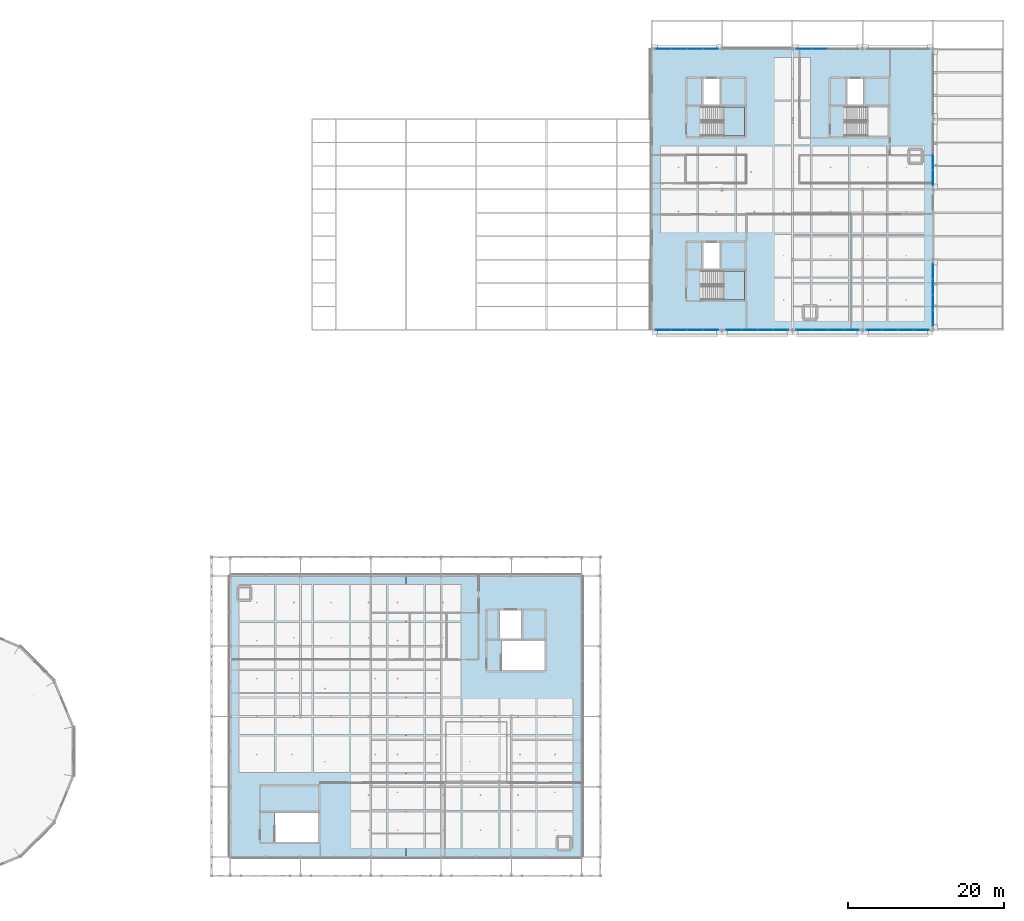
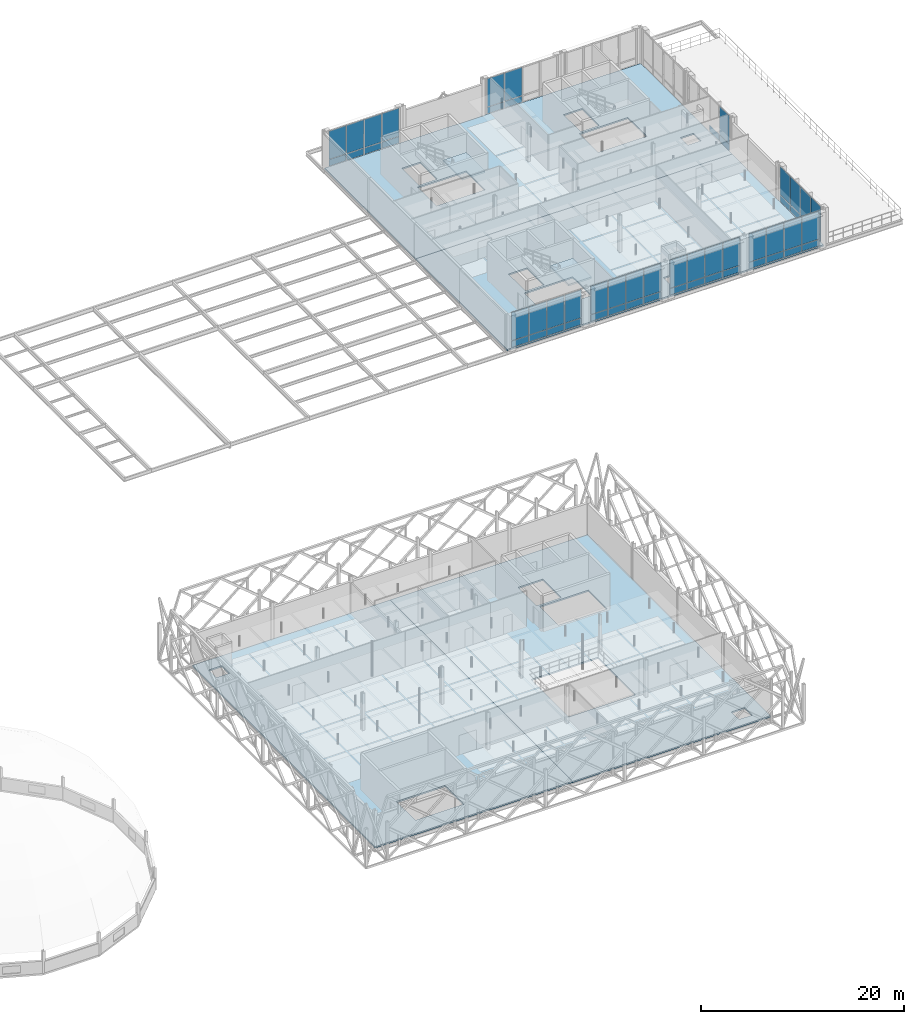
# One storey, part 34 of 66: 55 plates, 6 slabs, 10 elements without a shape of their own.
"""IFC4 building model written with IfcOpenShell, lengths in metres."""

import ifcopenshell
import ifcopenshell.guid

model = None  # the IFC model being written
_history = None  # IfcOwnerHistory: only IFC2X3 demands one
_inside = {}  # id of a spatial element -> (the spatial element, [elements in it])
_under = {}  # id of a project, library or spatial element -> (it, [spatial elements below it])
_declared = {}  # id of a project -> (the project, [libraries it declares])
_typed = {}  # id of a type object -> (the type object, [elements of that type])
_made_of = {}  # id of a material, layer set ... -> (it, [elements and type objects made of it])


def new_model(schema):
    """Start an empty IFC model of exactly this schema.

    Asked for "IFC4X3", IfcOpenShell would pick the latest addendum, in which some entities
    have other attributes; the version numbers below select the first issue.
    IFC2X3 requires an IfcOwnerHistory on every rooted entity: one is made here for all.
    """
    global model, _history
    if schema == "IFC4X3":
        model = ifcopenshell.file(schema_version=(4, 3, 0, 0))
    else:
        model = ifcopenshell.file(schema=schema)
    _inside.clear()
    _under.clear()
    _declared.clear()
    _typed.clear()
    _made_of.clear()
    _history = None
    if model.schema == "IFC2X3":
        org = make("IfcOrganization", Name="unknown")
        user = make(
            "IfcPersonAndOrganization",
            ThePerson=make("IfcPerson", FamilyName="unknown"),
            TheOrganization=org,
        )
        app = make(
            "IfcApplication",
            ApplicationDeveloper=org,
            Version="unknown",
            ApplicationFullName="unknown",
            ApplicationIdentifier="unknown",
        )
        _history = make(
            "IfcOwnerHistory",
            OwningUser=user,
            OwningApplication=app,
            ChangeAction="ADDED",
            CreationDate=0,
        )
    return model


def make(cls, **values):
    """One entity of the class cls with the attributes given. An attribute that is None is left unset."""
    return model.create_entity(
        cls, **{name: value for name, value in values.items() if value is not None}
    )


def rooted(cls, **values):
    """An entity with a GlobalId (a new one), such as an element, a storey or a relation."""
    return make(cls, GlobalId=ifcopenshell.guid.new(), OwnerHistory=_history, **values)


def si_unit(unit_type, name, prefix=None):
    """IfcSIUnit, for example si_unit("LENGTHUNIT", "METRE", prefix="MILLI")."""
    return make("IfcSIUnit", UnitType=unit_type, Prefix=prefix, Name=name)


def assignment(units):
    """IfcUnitAssignment: the units of a project."""
    return None if units is None else make("IfcUnitAssignment", Units=units)


def point(xyz):
    """IfcCartesianPoint."""
    return None if xyz is None else make("IfcCartesianPoint", Coordinates=xyz)


def direction(xyz):
    """IfcDirection."""
    return None if xyz is None else make("IfcDirection", DirectionRatios=xyz)


def frame(location, z_axis=None, x_axis=None):
    """IfcAxis2Placement3D, a coordinate frame: its origin and axes. An axis left out is left unset."""
    return make(
        "IfcAxis2Placement3D",
        Location=point(location),
        Axis=direction(z_axis),
        RefDirection=direction(x_axis),
    )


def frame_2d(location, x_axis=None):
    """IfcAxis2Placement2D, a coordinate frame in the plane: its origin and x axis."""
    return make(
        "IfcAxis2Placement2D", Location=point(location), RefDirection=direction(x_axis)
    )


def origin():
    """The frame at (0, 0, 0) with its axes left unset."""
    return frame((0.0, 0.0, 0.0))


def origin_2d():
    """The frame at (0, 0) in the plane with its x axis left unset."""
    return frame_2d((0.0, 0.0))


def place(relative_to, where):
    """IfcLocalPlacement: puts the frame where relative to a parent placement (None: the world)."""
    return make(
        "IfcLocalPlacement", PlacementRelTo=relative_to, RelativePlacement=where
    )


def context(
    kind, dimensions, precision=None, world=None, true_north=None, identifier=None
):
    """IfcGeometricRepresentationContext, for example the 3D "Model" context."""
    return make(
        "IfcGeometricRepresentationContext",
        ContextIdentifier=identifier,
        ContextType=kind,
        CoordinateSpaceDimension=dimensions,
        Precision=precision,
        WorldCoordinateSystem=world,
        TrueNorth=true_north,
    )


def subcontext(parent, identifier, kind, view, scale=None):
    """IfcGeometricRepresentationSubContext, for example "Body" below "Model"."""
    return make(
        "IfcGeometricRepresentationSubContext",
        ContextIdentifier=identifier,
        ContextType=kind,
        ParentContext=parent,
        TargetScale=scale,
        TargetView=view,
    )


def project(units=None, contexts=None):
    """IfcProject with its units and contexts."""
    return rooted(
        "IfcProject",
        Name="project",
        RepresentationContexts=contexts,
        UnitsInContext=assignment(units),
    )


def spatial(cls, under=None, at=None, **own):
    """A site, building, storey or space (cls), placed at a placement, below another one or the project."""
    s = rooted(cls, ObjectPlacement=at, **own)
    if under is not None:
        _under.setdefault(under.id(), (under, []))[1].append(s)
    return s


def polyline(points):
    """IfcPolyline through the points."""
    return make("IfcPolyline", Points=[point(p) for p in points])


def profile(cls, at=None, kind="AREA", **sizes):
    """A parametric profile (cls). Its sizes go by their IFC names, for example OverallWidth=200.0."""
    return make(cls, ProfileType=kind, Position=at, **sizes)


def rectangle(**sizes):
    """IfcRectangleProfileDef."""
    return profile("IfcRectangleProfileDef", **sizes)


def outline(outer, holes=None, kind="AREA"):
    """IfcArbitraryClosedProfileDef: a profile drawn as a closed curve; with holes, ...WithVoids."""
    if holes is None:
        return make("IfcArbitraryClosedProfileDef", ProfileType=kind, OuterCurve=outer)
    return make(
        "IfcArbitraryProfileDefWithVoids",
        ProfileType=kind,
        OuterCurve=outer,
        InnerCurves=holes,
    )


def extrude(swept, where, along, depth):
    """IfcExtrudedAreaSolid: the profile swept, set in the frame where, extruded along a direction by depth."""
    return make(
        "IfcExtrudedAreaSolid",
        SweptArea=swept,
        Position=where,
        ExtrudedDirection=direction(along),
        Depth=depth,
    )


def shape(context_of_items, identifier, shape_type, items):
    """IfcShapeRepresentation: the items that make up one representation, for example the "Body"."""
    return make(
        "IfcShapeRepresentation",
        ContextOfItems=context_of_items,
        RepresentationIdentifier=identifier,
        RepresentationType=shape_type,
        Items=items,
    )


def material(Name=None, Category=None):
    """IfcMaterial."""
    return make("IfcMaterial", Name=Name, Category=Category)


def layer(
    of_material, thickness, ventilated=None, Name=None, Category=None, Priority=None
):
    """IfcMaterialLayer: one layer of a wall or slab, of a material (None: an air gap)."""
    return make(
        "IfcMaterialLayer",
        Material=of_material,
        LayerThickness=thickness,
        IsVentilated=ventilated,
        Name=Name,
        Category=Category,
        Priority=Priority,
    )


def layer_set(layers, Name=None):
    """IfcMaterialLayerSet."""
    return make("IfcMaterialLayerSet", MaterialLayers=layers, LayerSetName=Name)


def made_of(thing, what):
    """Note that an element or type object is made of a material, layer set ...; save() writes the relation."""
    if what is not None:
        _made_of.setdefault(what.id(), (what, []))[1].append(thing)
    return thing


def type_object(cls, material=None, **own):
    """A type object (cls), such as IfcWallType, which elements share."""
    return made_of(rooted(cls, **own), material)


def element(
    cls,
    number,
    at=None,
    inside=None,
    cuts=None,
    type_object=None,
    material=None,
    context=None,
    identifier="Body",
    shape_type=None,
    held_by="IfcProductDefinitionShape",
    body=None,
    shapes=None,
    **own,
):
    """One element of the class cls, such as IfcWall. Its Tag is "e" and its number.

    at: its placement. inside: the storey or other place that contains it. cuts: it is an
    opening in that element (IfcRelVoidsElement). A single representation is given by context,
    identifier, shape_type and body (its items); several are given by shapes. held_by: the class
    of the entity that holds the representations. save() writes the other relations.
    """
    e = rooted(cls, Tag="e%d" % number, ObjectPlacement=at, **own)
    if body is not None:
        shapes = [shape(context, identifier, shape_type, body)]
    if shapes is not None:
        e.Representation = make(held_by, Representations=shapes)
    if inside is not None:
        _inside.setdefault(inside.id(), (inside, []))[1].append(e)
    if cuts is not None:
        rooted(
            "IfcRelVoidsElement", RelatingBuildingElement=cuts, RelatedOpeningElement=e
        )
    if type_object is not None:
        _typed.setdefault(type_object.id(), (type_object, []))[1].append(e)
    return made_of(e, material)


def aggregate(whole, parts):
    """IfcRelAggregates: a whole, such as a stair, and the parts it consists of."""
    return rooted("IfcRelAggregates", RelatingObject=whole, RelatedObjects=parts)


def save(model, path):
    """Write the relations noted so far, then the file.

    IfcRelAggregates (storeys below a building ...), IfcRelContainedInSpatialStructure (elements
    in a storey), IfcRelDefinesByType, IfcRelAssociatesMaterial and IfcRelDeclares: one each for
    every whole, place, type object, material and project.
    """
    for whole, parts in _under.values():
        aggregate(whole, parts)
    for where, things in _inside.values():
        rooted(
            "IfcRelContainedInSpatialStructure",
            RelatedElements=things,
            RelatingStructure=where,
        )
    for kind, things in _typed.values():
        rooted("IfcRelDefinesByType", RelatedObjects=things, RelatingType=kind)
    for what, things in _made_of.values():
        rooted("IfcRelAssociatesMaterial", RelatedObjects=things, RelatingMaterial=what)
    for by, libraries in _declared.values():
        rooted("IfcRelDeclares", RelatingContext=by, RelatedDefinitions=libraries)
    model.write(path)


model = new_model("IFC4")

# Units and contexts
model_context = context("Model", 3, precision=1e-05, world=origin(), true_north=direction((0.0, 1.0)))
body_context = subcontext(model_context, "Body", "Model", "MODEL_VIEW")
ifc_project = project(units=[si_unit("LENGTHUNIT", "METRE"), si_unit("AREAUNIT", "SQUARE_METRE"), si_unit("VOLUMEUNIT", "CUBIC_METRE"), si_unit("PLANEANGLEUNIT", "RADIAN"), si_unit("MASSUNIT", "GRAM", prefix="KILO"), si_unit("THERMODYNAMICTEMPERATUREUNIT", "KELVIN"), si_unit("POWERUNIT", "WATT")], contexts=[model_context])

# Site, building, storey
site_placement = place(None, origin())
site = spatial("IfcSite", under=ifc_project, at=site_placement, CompositionType="ELEMENT")
building_placement = place(site_placement, origin())
building = spatial("IfcBuilding", under=site, at=building_placement, Name="Tallowbark Science Centre", CompositionType="ELEMENT")
storey_placement = place(building_placement, frame((0.0, 0.0, 18.89990234375)))
storey = spatial("IfcBuildingStorey", under=building, at=storey_placement, Name="L04", CompositionType="ELEMENT", Elevation=18.89990234375)

# Curtain wall, plates
ifc_material_1 = material(Name="Unitised Thermally Broken Aluminium and Low-E Double Glazing", Category="aluminium")
curtain_wall_type = type_object("IfcCurtainWallType", Name="CW-SYS-FACADE", PredefinedType="NOTDEFINED", material=ifc_material_1)
curtain_wall_1_placement = place(storey_placement, origin())
curtain_wall_1 = element("IfcCurtainWall", 1, at=curtain_wall_1_placement, inside=storey, type_object=curtain_wall_type, Name="Unitised Curtain Wall OBS4-S-112 CW-L04-190", PredefinedType="NOTDEFINED")
ifc_material_2 = material(Name="Double Glazed Argon Low-E Vision Glass", Category="glass")
ifc_layer_1 = layer(ifc_material_2, 0.028076171875)
ifc_layer_set_1 = layer_set([ifc_layer_1], Name="Double Glazed Argon Low-E Vision Glass")
plate_type_1 = type_object("IfcPlateType", Name="CWP-GLZ-28", PredefinedType="CURTAIN_PANEL", material=ifc_layer_set_1)
plate_1_placement = place(storey_placement, frame((113.978759765625, 72.0, 0.05517578125), z_axis=(0.0, 0.0, 1.0), x_axis=(1.0, 0.0, 0.0)))
plate_1 = element("IfcPlate", 2, at=plate_1_placement, type_object=plate_type_1, Name="CW-01 panel 1.1", PredefinedType="CURTAIN_PANEL", context=body_context, shape_type="SweptSolid", body=[
    extrude(rectangle(XDim=1.927490234375, YDim=0.028076171875, at=origin_2d()), origin(), (0.0, 0.0, 1.0), 0.767578125),
])
plate_2_placement = place(storey_placement, frame((113.978759765625, 72.0, 0.87744140625), z_axis=(0.0, 0.0, 1.0), x_axis=(1.0, 0.0, 0.0)))
plate_2 = element("IfcPlate", 3, at=plate_2_placement, type_object=plate_type_1, Name="CW-01 panel 1.2", PredefinedType="CURTAIN_PANEL", context=body_context, shape_type="SweptSolid", body=[
    extrude(rectangle(XDim=1.927490234375, YDim=0.028076171875, at=origin_2d()), origin(), (0.0, 0.0, 1.0), 3.387451171875),
])
plate_3_placement = place(storey_placement, frame((115.987548828125, 72.0, 0.05517578125), z_axis=(0.0, 0.0, 1.0), x_axis=(1.0, 0.0, 0.0)))
plate_3 = element("IfcPlate", 4, at=plate_3_placement, type_object=plate_type_1, Name="CW-01 panel 2.1", PredefinedType="CURTAIN_PANEL", context=body_context, shape_type="SweptSolid", body=[
    extrude(rectangle(XDim=1.9599609375, YDim=0.028076171875, at=origin_2d()), origin(), (0.0, 0.0, 1.0), 0.767578125),
])
plate_4_placement = place(storey_placement, frame((115.987548828125, 72.0, 0.87744140625), z_axis=(0.0, 0.0, 1.0), x_axis=(1.0, 0.0, 0.0)))
plate_4 = element("IfcPlate", 5, at=plate_4_placement, type_object=plate_type_1, Name="CW-01 panel 2.2", PredefinedType="CURTAIN_PANEL", context=body_context, shape_type="SweptSolid", body=[
    extrude(rectangle(XDim=1.9599609375, YDim=0.028076171875, at=origin_2d()), origin(), (0.0, 0.0, 1.0), 3.387451171875),
])
plate_5_placement = place(storey_placement, frame((118.012451171875, 72.0, 0.05517578125), z_axis=(0.0, 0.0, 1.0), x_axis=(1.0, 0.0, 0.0)))
plate_5 = element("IfcPlate", 6, at=plate_5_placement, type_object=plate_type_1, Name="CW-01 panel 3.1", PredefinedType="CURTAIN_PANEL", context=body_context, shape_type="SweptSolid", body=[
    extrude(rectangle(XDim=1.9599609375, YDim=0.028076171875, at=origin_2d()), origin(), (0.0, 0.0, 1.0), 0.767578125),
])
plate_6_placement = place(storey_placement, frame((118.012451171875, 72.0, 0.87744140625), z_axis=(0.0, 0.0, 1.0), x_axis=(1.0, 0.0, 0.0)))
plate_6 = element("IfcPlate", 7, at=plate_6_placement, type_object=plate_type_1, Name="CW-01 panel 3.2", PredefinedType="CURTAIN_PANEL", context=body_context, shape_type="SweptSolid", body=[
    extrude(rectangle(XDim=1.9599609375, YDim=0.028076171875, at=origin_2d()), origin(), (0.0, 0.0, 1.0), 3.387451171875),
])
plate_7_placement = place(storey_placement, frame((120.021240234375, 72.0, 0.05517578125), z_axis=(0.0, 0.0, 1.0), x_axis=(1.0, 0.0, 0.0)))
plate_7 = element("IfcPlate", 8, at=plate_7_placement, type_object=plate_type_1, Name="CW-01 panel 4.1", PredefinedType="CURTAIN_PANEL", context=body_context, shape_type="SweptSolid", body=[
    extrude(rectangle(XDim=1.927490234375, YDim=0.028076171875, at=origin_2d()), origin(), (0.0, 0.0, 1.0), 0.767578125),
])
plate_8_placement = place(storey_placement, frame((120.021240234375, 72.0, 0.87744140625), z_axis=(0.0, 0.0, 1.0), x_axis=(1.0, 0.0, 0.0)))
plate_8 = element("IfcPlate", 9, at=plate_8_placement, type_object=plate_type_1, Name="CW-01 panel 4.2", PredefinedType="CURTAIN_PANEL", context=body_context, shape_type="SweptSolid", body=[
    extrude(rectangle(XDim=1.927490234375, YDim=0.028076171875, at=origin_2d()), origin(), (0.0, 0.0, 1.0), 3.387451171875),
])
aggregate(curtain_wall_1, [plate_1, plate_2, plate_3, plate_4, plate_5, plate_6, plate_7, plate_8])

curtain_wall_2_placement = place(storey_placement, origin())
curtain_wall_2 = element("IfcCurtainWall", 10, at=curtain_wall_2_placement, inside=storey, type_object=curtain_wall_type, Name="Unitised Curtain Wall OBS4-N-112 CW-L04-191", PredefinedType="NOTDEFINED")
plate_9_placement = place(storey_placement, frame((120.021240234375, 108.0, 0.05517578125), z_axis=(0.0, 0.0, 1.0), x_axis=(-1.0, 0.0, 0.0)))
plate_9 = element("IfcPlate", 11, at=plate_9_placement, type_object=plate_type_1, Name="CW-01 panel 1.1", PredefinedType="CURTAIN_PANEL", context=body_context, shape_type="SweptSolid", body=[
    extrude(rectangle(XDim=1.927490234375, YDim=0.028076171875, at=origin_2d()), origin(), (0.0, 0.0, 1.0), 0.767578125),
])
plate_10_placement = place(storey_placement, frame((120.021240234375, 108.0, 0.87744140625), z_axis=(0.0, 0.0, 1.0), x_axis=(-1.0, 0.0, 0.0)))
plate_10 = element("IfcPlate", 12, at=plate_10_placement, type_object=plate_type_1, Name="CW-01 panel 1.2", PredefinedType="CURTAIN_PANEL", context=body_context, shape_type="SweptSolid", body=[
    extrude(rectangle(XDim=1.927490234375, YDim=0.028076171875, at=origin_2d()), origin(), (0.0, 0.0, 1.0), 3.387451171875),
])
plate_11_placement = place(storey_placement, frame((118.012451171875, 108.0, 0.05517578125), z_axis=(0.0, 0.0, 1.0), x_axis=(-1.0, 0.0, 0.0)))
plate_11 = element("IfcPlate", 13, at=plate_11_placement, type_object=plate_type_1, Name="CW-01 panel 2.1", PredefinedType="CURTAIN_PANEL", context=body_context, shape_type="SweptSolid", body=[
    extrude(rectangle(XDim=1.9599609375, YDim=0.028076171875, at=origin_2d()), origin(), (0.0, 0.0, 1.0), 0.767578125),
])
plate_12_placement = place(storey_placement, frame((118.012451171875, 108.0, 0.87744140625), z_axis=(0.0, 0.0, 1.0), x_axis=(-1.0, 0.0, 0.0)))
plate_12 = element("IfcPlate", 14, at=plate_12_placement, type_object=plate_type_1, Name="CW-01 panel 2.2", PredefinedType="CURTAIN_PANEL", context=body_context, shape_type="SweptSolid", body=[
    extrude(rectangle(XDim=1.9599609375, YDim=0.028076171875, at=origin_2d()), origin(), (0.0, 0.0, 1.0), 3.387451171875),
])
plate_13_placement = place(storey_placement, frame((115.987548828125, 108.0, 0.05517578125), z_axis=(0.0, 0.0, 1.0), x_axis=(-1.0, 0.0, 0.0)))
plate_13 = element("IfcPlate", 15, at=plate_13_placement, type_object=plate_type_1, Name="CW-01 panel 3.1", PredefinedType="CURTAIN_PANEL", context=body_context, shape_type="SweptSolid", body=[
    extrude(rectangle(XDim=1.9599609375, YDim=0.028076171875, at=origin_2d()), origin(), (0.0, 0.0, 1.0), 0.767578125),
])
plate_14_placement = place(storey_placement, frame((115.987548828125, 108.0, 0.87744140625), z_axis=(0.0, 0.0, 1.0), x_axis=(-1.0, 0.0, 0.0)))
plate_14 = element("IfcPlate", 16, at=plate_14_placement, type_object=plate_type_1, Name="CW-01 panel 3.2", PredefinedType="CURTAIN_PANEL", context=body_context, shape_type="SweptSolid", body=[
    extrude(rectangle(XDim=1.9599609375, YDim=0.028076171875, at=origin_2d()), origin(), (0.0, 0.0, 1.0), 3.387451171875),
])
plate_15_placement = place(storey_placement, frame((113.978759765625, 108.0, 0.05517578125), z_axis=(0.0, 0.0, 1.0), x_axis=(-1.0, 0.0, 0.0)))
plate_15 = element("IfcPlate", 17, at=plate_15_placement, type_object=plate_type_1, Name="CW-01 panel 4.1", PredefinedType="CURTAIN_PANEL", context=body_context, shape_type="SweptSolid", body=[
    extrude(rectangle(XDim=1.927490234375, YDim=0.028076171875, at=origin_2d()), origin(), (0.0, 0.0, 1.0), 0.767578125),
])
plate_16_placement = place(storey_placement, frame((113.978759765625, 108.0, 0.87744140625), z_axis=(0.0, 0.0, 1.0), x_axis=(-1.0, 0.0, 0.0)))
plate_16 = element("IfcPlate", 18, at=plate_16_placement, type_object=plate_type_1, Name="CW-01 panel 4.2", PredefinedType="CURTAIN_PANEL", context=body_context, shape_type="SweptSolid", body=[
    extrude(rectangle(XDim=1.927490234375, YDim=0.028076171875, at=origin_2d()), origin(), (0.0, 0.0, 1.0), 3.387451171875),
])
aggregate(curtain_wall_2, [plate_9, plate_10, plate_11, plate_12, plate_13, plate_14, plate_15, plate_16])

curtain_wall_3_placement = place(storey_placement, origin())
curtain_wall_3 = element("IfcCurtainWall", 19, at=curtain_wall_3_placement, inside=storey, type_object=curtain_wall_type, Name="Unitised Curtain Wall OBS4-S-130 CW-L04-193", PredefinedType="NOTDEFINED")
plate_17_placement = place(storey_placement, frame((131.978759765625, 72.0, 0.05517578125), z_axis=(0.0, 0.0, 1.0), x_axis=(1.0, 0.0, 0.0)))
plate_17 = element("IfcPlate", 20, at=plate_17_placement, type_object=plate_type_1, Name="CW-01 panel 1.1", PredefinedType="CURTAIN_PANEL", context=body_context, shape_type="SweptSolid", body=[
    extrude(rectangle(XDim=1.927490234375, YDim=0.028076171875, at=origin_2d()), origin(), (0.0, 0.0, 1.0), 0.767578125),
])
plate_18_placement = place(storey_placement, frame((131.978759765625, 72.0, 0.87744140625), z_axis=(0.0, 0.0, 1.0), x_axis=(1.0, 0.0, 0.0)))
plate_18 = element("IfcPlate", 21, at=plate_18_placement, type_object=plate_type_1, Name="CW-01 panel 1.2", PredefinedType="CURTAIN_PANEL", context=body_context, shape_type="SweptSolid", body=[
    extrude(rectangle(XDim=1.927490234375, YDim=0.028076171875, at=origin_2d()), origin(), (0.0, 0.0, 1.0), 3.387451171875),
])
plate_19_placement = place(storey_placement, frame((133.987548828125, 72.0, 0.05517578125), z_axis=(0.0, 0.0, 1.0), x_axis=(1.0, 0.0, 0.0)))
plate_19 = element("IfcPlate", 22, at=plate_19_placement, type_object=plate_type_1, Name="CW-01 panel 2.1", PredefinedType="CURTAIN_PANEL", context=body_context, shape_type="SweptSolid", body=[
    extrude(rectangle(XDim=1.9599609375, YDim=0.028076171875, at=origin_2d()), origin(), (0.0, 0.0, 1.0), 0.767578125),
])
plate_20_placement = place(storey_placement, frame((133.987548828125, 72.0, 0.87744140625), z_axis=(0.0, 0.0, 1.0), x_axis=(1.0, 0.0, 0.0)))
plate_20 = element("IfcPlate", 23, at=plate_20_placement, type_object=plate_type_1, Name="CW-01 panel 2.2", PredefinedType="CURTAIN_PANEL", context=body_context, shape_type="SweptSolid", body=[
    extrude(rectangle(XDim=1.9599609375, YDim=0.028076171875, at=origin_2d()), origin(), (0.0, 0.0, 1.0), 3.387451171875),
])
plate_21_placement = place(storey_placement, frame((136.012451171875, 72.0, 0.05517578125), z_axis=(0.0, 0.0, 1.0), x_axis=(1.0, 0.0, 0.0)))
plate_21 = element("IfcPlate", 24, at=plate_21_placement, type_object=plate_type_1, Name="CW-01 panel 3.1", PredefinedType="CURTAIN_PANEL", context=body_context, shape_type="SweptSolid", body=[
    extrude(rectangle(XDim=1.9599609375, YDim=0.028076171875, at=origin_2d()), origin(), (0.0, 0.0, 1.0), 0.767578125),
])
plate_22_placement = place(storey_placement, frame((136.012451171875, 72.0, 0.87744140625), z_axis=(0.0, 0.0, 1.0), x_axis=(1.0, 0.0, 0.0)))
plate_22 = element("IfcPlate", 25, at=plate_22_placement, type_object=plate_type_1, Name="CW-01 panel 3.2", PredefinedType="CURTAIN_PANEL", context=body_context, shape_type="SweptSolid", body=[
    extrude(rectangle(XDim=1.9599609375, YDim=0.028076171875, at=origin_2d()), origin(), (0.0, 0.0, 1.0), 3.387451171875),
])
plate_23_placement = place(storey_placement, frame((138.021240234375, 72.0, 0.05517578125), z_axis=(0.0, 0.0, 1.0), x_axis=(1.0, 0.0, 0.0)))
plate_23 = element("IfcPlate", 26, at=plate_23_placement, type_object=plate_type_1, Name="CW-01 panel 4.1", PredefinedType="CURTAIN_PANEL", context=body_context, shape_type="SweptSolid", body=[
    extrude(rectangle(XDim=1.927490234375, YDim=0.028076171875, at=origin_2d()), origin(), (0.0, 0.0, 1.0), 0.767578125),
])
plate_24_placement = place(storey_placement, frame((138.021240234375, 72.0, 0.87744140625), z_axis=(0.0, 0.0, 1.0), x_axis=(1.0, 0.0, 0.0)))
plate_24 = element("IfcPlate", 27, at=plate_24_placement, type_object=plate_type_1, Name="CW-01 panel 4.2", PredefinedType="CURTAIN_PANEL", context=body_context, shape_type="SweptSolid", body=[
    extrude(rectangle(XDim=1.927490234375, YDim=0.028076171875, at=origin_2d()), origin(), (0.0, 0.0, 1.0), 3.387451171875),
])
aggregate(curtain_wall_3, [plate_17, plate_18, plate_19, plate_20, plate_21, plate_22, plate_23, plate_24])

curtain_wall_4_placement = place(storey_placement, origin())
curtain_wall_4 = element("IfcCurtainWall", 28, at=curtain_wall_4_placement, inside=storey, type_object=curtain_wall_type, Name="Unitised Curtain Wall OBS4-N-130 CW-L04-194", PredefinedType="NOTDEFINED")
plate_25_placement = place(storey_placement, frame((133.987548828125, 108.0, 0.05517578125), z_axis=(0.0, 0.0, 1.0), x_axis=(-1.0, 0.0, 0.0)))
plate_25 = element("IfcPlate", 29, at=plate_25_placement, type_object=plate_type_1, Name="CW-01 panel 3.1", PredefinedType="CURTAIN_PANEL", context=body_context, shape_type="SweptSolid", body=[
    extrude(rectangle(XDim=1.9599609375, YDim=0.028076171875, at=origin_2d()), origin(), (0.0, 0.0, 1.0), 0.767578125),
])
plate_26_placement = place(storey_placement, frame((133.987548828125, 108.0, 0.87744140625), z_axis=(0.0, 0.0, 1.0), x_axis=(-1.0, 0.0, 0.0)))
plate_26 = element("IfcPlate", 30, at=plate_26_placement, type_object=plate_type_1, Name="CW-01 panel 3.2", PredefinedType="CURTAIN_PANEL", context=body_context, shape_type="SweptSolid", body=[
    extrude(rectangle(XDim=1.9599609375, YDim=0.028076171875, at=origin_2d()), origin(), (0.0, 0.0, 1.0), 3.387451171875),
])
plate_27_placement = place(storey_placement, frame((131.978759765625, 108.0, 0.05517578125), z_axis=(0.0, 0.0, 1.0), x_axis=(-1.0, 0.0, 0.0)))
plate_27 = element("IfcPlate", 31, at=plate_27_placement, type_object=plate_type_1, Name="CW-01 panel 4.1", PredefinedType="CURTAIN_PANEL", context=body_context, shape_type="SweptSolid", body=[
    extrude(rectangle(XDim=1.927490234375, YDim=0.028076171875, at=origin_2d()), origin(), (0.0, 0.0, 1.0), 0.767578125),
])
plate_28_placement = place(storey_placement, frame((131.978759765625, 108.0, 0.87744140625), z_axis=(0.0, 0.0, 1.0), x_axis=(-1.0, 0.0, 0.0)))
plate_28 = element("IfcPlate", 32, at=plate_28_placement, type_object=plate_type_1, Name="CW-01 panel 4.2", PredefinedType="CURTAIN_PANEL", context=body_context, shape_type="SweptSolid", body=[
    extrude(rectangle(XDim=1.927490234375, YDim=0.028076171875, at=origin_2d()), origin(), (0.0, 0.0, 1.0), 3.387451171875),
])
aggregate(curtain_wall_4, [plate_25, plate_26, plate_27, plate_28])

curtain_wall_5_placement = place(storey_placement, origin())
curtain_wall_5 = element("IfcCurtainWall", 33, at=curtain_wall_5_placement, inside=storey, type_object=curtain_wall_type, Name="Unitised Curtain Wall OBS4-E-72 CW-L04-197", PredefinedType="NOTDEFINED")
plate_29_placement = place(storey_placement, frame((148.5, 73.478759765625, 0.05517578125), z_axis=(0.0, 0.0, 1.0), x_axis=(0.0, 1.0, 0.0)))
plate_29 = element("IfcPlate", 34, at=plate_29_placement, type_object=plate_type_1, Name="CW-01 panel 1.1", PredefinedType="CURTAIN_PANEL", context=body_context, shape_type="SweptSolid", body=[
    extrude(rectangle(XDim=1.927490234375, YDim=0.028076171875, at=origin_2d()), origin(), (0.0, 0.0, 1.0), 0.767578125),
])
plate_30_placement = place(storey_placement, frame((148.5, 73.478759765625, 0.87744140625), z_axis=(0.0, 0.0, 1.0), x_axis=(0.0, 1.0, 0.0)))
plate_30 = element("IfcPlate", 35, at=plate_30_placement, type_object=plate_type_1, Name="CW-01 panel 1.2", PredefinedType="CURTAIN_PANEL", context=body_context, shape_type="SweptSolid", body=[
    extrude(rectangle(XDim=1.927490234375, YDim=0.028076171875, at=origin_2d()), origin(), (0.0, 0.0, 1.0), 3.387451171875),
])
plate_31_placement = place(storey_placement, frame((148.5, 75.487548828125, 0.05517578125), z_axis=(0.0, 0.0, 1.0), x_axis=(0.0, 1.0, 0.0)))
plate_31 = element("IfcPlate", 36, at=plate_31_placement, type_object=plate_type_1, Name="CW-01 panel 2.1", PredefinedType="CURTAIN_PANEL", context=body_context, shape_type="SweptSolid", body=[
    extrude(rectangle(XDim=1.9599609375, YDim=0.028076171875, at=origin_2d()), origin(), (0.0, 0.0, 1.0), 0.767578125),
])
plate_32_placement = place(storey_placement, frame((148.5, 75.487548828125, 0.87744140625), z_axis=(0.0, 0.0, 1.0), x_axis=(0.0, 1.0, 0.0)))
plate_32 = element("IfcPlate", 37, at=plate_32_placement, type_object=plate_type_1, Name="CW-01 panel 2.2", PredefinedType="CURTAIN_PANEL", context=body_context, shape_type="SweptSolid", body=[
    extrude(rectangle(XDim=1.9599609375, YDim=0.028076171875, at=origin_2d()), origin(), (0.0, 0.0, 1.0), 3.387451171875),
])
plate_33_placement = place(storey_placement, frame((148.5, 77.512451171875, 0.05517578125), z_axis=(0.0, 0.0, 1.0), x_axis=(0.0, 1.0, 0.0)))
plate_33 = element("IfcPlate", 38, at=plate_33_placement, type_object=plate_type_1, Name="CW-01 panel 3.1", PredefinedType="CURTAIN_PANEL", context=body_context, shape_type="SweptSolid", body=[
    extrude(rectangle(XDim=1.9599609375, YDim=0.028076171875, at=origin_2d()), origin(), (0.0, 0.0, 1.0), 0.767578125),
])
plate_34_placement = place(storey_placement, frame((148.5, 77.512451171875, 0.87744140625), z_axis=(0.0, 0.0, 1.0), x_axis=(0.0, 1.0, 0.0)))
plate_34 = element("IfcPlate", 39, at=plate_34_placement, type_object=plate_type_1, Name="CW-01 panel 3.2", PredefinedType="CURTAIN_PANEL", context=body_context, shape_type="SweptSolid", body=[
    extrude(rectangle(XDim=1.9599609375, YDim=0.028076171875, at=origin_2d()), origin(), (0.0, 0.0, 1.0), 3.387451171875),
])
plate_35_placement = place(storey_placement, frame((148.5, 79.521240234375, 0.05517578125), z_axis=(0.0, 0.0, 1.0), x_axis=(0.0, 1.0, 0.0)))
plate_35 = element("IfcPlate", 40, at=plate_35_placement, type_object=plate_type_1, Name="CW-01 panel 4.1", PredefinedType="CURTAIN_PANEL", context=body_context, shape_type="SweptSolid", body=[
    extrude(rectangle(XDim=1.927490234375, YDim=0.028076171875, at=origin_2d()), origin(), (0.0, 0.0, 1.0), 0.767578125),
])
plate_36_placement = place(storey_placement, frame((148.5, 79.521240234375, 0.87744140625), z_axis=(0.0, 0.0, 1.0), x_axis=(0.0, 1.0, 0.0)))
plate_36 = element("IfcPlate", 41, at=plate_36_placement, type_object=plate_type_1, Name="CW-01 panel 4.2", PredefinedType="CURTAIN_PANEL", context=body_context, shape_type="SweptSolid", body=[
    extrude(rectangle(XDim=1.927490234375, YDim=0.028076171875, at=origin_2d()), origin(), (0.0, 0.0, 1.0), 3.387451171875),
])
aggregate(curtain_wall_5, [plate_29, plate_30, plate_31, plate_32, plate_33, plate_34, plate_35, plate_36])

curtain_wall_6_placement = place(storey_placement, origin())
curtain_wall_6 = element("IfcCurtainWall", 42, at=curtain_wall_6_placement, inside=storey, type_object=curtain_wall_type, Name="Unitised Curtain Wall OBS4-S-121 CW-L04-192", PredefinedType="NOTDEFINED")
ifc_material_3 = material(Name="Ceramic-Fritted Insulated Glass Spandrel Panel", Category="glass")
ifc_layer_2 = layer(ifc_material_3, 0.031982421875)
ifc_layer_set_2 = layer_set([ifc_layer_2], Name="Ceramic-Fritted Insulated Glass Spandrel Panel")
plate_type_2 = type_object("IfcPlateType", Name="CWP-SPN-32", PredefinedType="CURTAIN_PANEL", material=ifc_layer_set_2)
plate_37_placement = place(storey_placement, frame((122.978759765625, 72.0, 0.05517578125), z_axis=(0.0, 0.0, 1.0), x_axis=(1.0, 0.0, 0.0)))
plate_37 = element("IfcPlate", 43, at=plate_37_placement, type_object=plate_type_2, Name="CW-01 panel 1.1", PredefinedType="CURTAIN_PANEL", context=body_context, shape_type="SweptSolid", body=[
    extrude(rectangle(XDim=1.927490234375, YDim=0.031982421875, at=origin_2d()), origin(), (0.0, 0.0, 1.0), 0.767578125),
])
plate_38_placement = place(storey_placement, frame((122.978759765625, 72.0, 0.87744140625), z_axis=(0.0, 0.0, 1.0), x_axis=(1.0, 0.0, 0.0)))
plate_38 = element("IfcPlate", 44, at=plate_38_placement, type_object=plate_type_2, Name="CW-01 panel 1.2", PredefinedType="CURTAIN_PANEL", context=body_context, shape_type="SweptSolid", body=[
    extrude(rectangle(XDim=1.927490234375, YDim=0.031982421875, at=origin_2d()), origin(), (0.0, 0.0, 1.0), 3.387451171875),
])
plate_39_placement = place(storey_placement, frame((124.987548828125, 72.0, 0.05517578125), z_axis=(0.0, 0.0, 1.0), x_axis=(1.0, 0.0, 0.0)))
plate_39 = element("IfcPlate", 45, at=plate_39_placement, type_object=plate_type_2, Name="CW-01 panel 2.1", PredefinedType="CURTAIN_PANEL", context=body_context, shape_type="SweptSolid", body=[
    extrude(rectangle(XDim=1.9599609375, YDim=0.031982421875, at=origin_2d()), origin(), (0.0, 0.0, 1.0), 0.767578125),
])
plate_40_placement = place(storey_placement, frame((124.987548828125, 72.0, 0.87744140625), z_axis=(0.0, 0.0, 1.0), x_axis=(1.0, 0.0, 0.0)))
plate_40 = element("IfcPlate", 46, at=plate_40_placement, type_object=plate_type_2, Name="CW-01 panel 2.2", PredefinedType="CURTAIN_PANEL", context=body_context, shape_type="SweptSolid", body=[
    extrude(rectangle(XDim=1.9599609375, YDim=0.031982421875, at=origin_2d()), origin(), (0.0, 0.0, 1.0), 3.387451171875),
])
plate_41_placement = place(storey_placement, frame((127.012451171875, 72.0, 0.05517578125), z_axis=(0.0, 0.0, 1.0), x_axis=(1.0, 0.0, 0.0)))
plate_41 = element("IfcPlate", 47, at=plate_41_placement, type_object=plate_type_2, Name="CW-01 panel 3.1", PredefinedType="CURTAIN_PANEL", context=body_context, shape_type="SweptSolid", body=[
    extrude(rectangle(XDim=1.9599609375, YDim=0.031982421875, at=origin_2d()), origin(), (0.0, 0.0, 1.0), 0.767578125),
])
plate_42_placement = place(storey_placement, frame((127.012451171875, 72.0, 0.87744140625), z_axis=(0.0, 0.0, 1.0), x_axis=(1.0, 0.0, 0.0)))
plate_42 = element("IfcPlate", 48, at=plate_42_placement, type_object=plate_type_2, Name="CW-01 panel 3.2", PredefinedType="CURTAIN_PANEL", context=body_context, shape_type="SweptSolid", body=[
    extrude(rectangle(XDim=1.9599609375, YDim=0.031982421875, at=origin_2d()), origin(), (0.0, 0.0, 1.0), 3.387451171875),
])
plate_43_placement = place(storey_placement, frame((129.021240234375, 72.0, 0.05517578125), z_axis=(0.0, 0.0, 1.0), x_axis=(1.0, 0.0, 0.0)))
plate_43 = element("IfcPlate", 49, at=plate_43_placement, type_object=plate_type_2, Name="CW-01 panel 4.1", PredefinedType="CURTAIN_PANEL", context=body_context, shape_type="SweptSolid", body=[
    extrude(rectangle(XDim=1.927490234375, YDim=0.031982421875, at=origin_2d()), origin(), (0.0, 0.0, 1.0), 0.767578125),
])
plate_44_placement = place(storey_placement, frame((129.021240234375, 72.0, 0.87744140625), z_axis=(0.0, 0.0, 1.0), x_axis=(1.0, 0.0, 0.0)))
plate_44 = element("IfcPlate", 50, at=plate_44_placement, type_object=plate_type_2, Name="CW-01 panel 4.2", PredefinedType="CURTAIN_PANEL", context=body_context, shape_type="SweptSolid", body=[
    extrude(rectangle(XDim=1.927490234375, YDim=0.031982421875, at=origin_2d()), origin(), (0.0, 0.0, 1.0), 3.387451171875),
])
aggregate(curtain_wall_6, [plate_37, plate_38, plate_39, plate_40, plate_41, plate_42, plate_43, plate_44])

curtain_wall_7_placement = place(storey_placement, origin())
curtain_wall_7 = element("IfcCurtainWall", 51, at=curtain_wall_7_placement, inside=storey, type_object=curtain_wall_type, Name="Unitised Curtain Wall OBS4-S-139 CW-L04-195", PredefinedType="NOTDEFINED")
plate_45_placement = place(storey_placement, frame((140.978759765625, 72.0, 0.05517578125), z_axis=(0.0, 0.0, 1.0), x_axis=(1.0, 0.0, 0.0)))
plate_45 = element("IfcPlate", 52, at=plate_45_placement, type_object=plate_type_2, Name="CW-01 panel 1.1", PredefinedType="CURTAIN_PANEL", context=body_context, shape_type="SweptSolid", body=[
    extrude(rectangle(XDim=1.927490234375, YDim=0.031982421875, at=origin_2d()), origin(), (0.0, 0.0, 1.0), 0.767578125),
])
plate_46_placement = place(storey_placement, frame((140.978759765625, 72.0, 0.87744140625), z_axis=(0.0, 0.0, 1.0), x_axis=(1.0, 0.0, 0.0)))
plate_46 = element("IfcPlate", 53, at=plate_46_placement, type_object=plate_type_2, Name="CW-01 panel 1.2", PredefinedType="CURTAIN_PANEL", context=body_context, shape_type="SweptSolid", body=[
    extrude(rectangle(XDim=1.927490234375, YDim=0.031982421875, at=origin_2d()), origin(), (0.0, 0.0, 1.0), 3.387451171875),
])
plate_47_placement = place(storey_placement, frame((142.987548828125, 72.0, 0.05517578125), z_axis=(0.0, 0.0, 1.0), x_axis=(1.0, 0.0, 0.0)))
plate_47 = element("IfcPlate", 54, at=plate_47_placement, type_object=plate_type_2, Name="CW-01 panel 2.1", PredefinedType="CURTAIN_PANEL", context=body_context, shape_type="SweptSolid", body=[
    extrude(rectangle(XDim=1.9599609375, YDim=0.031982421875, at=origin_2d()), origin(), (0.0, 0.0, 1.0), 0.767578125),
])
plate_48_placement = place(storey_placement, frame((142.987548828125, 72.0, 0.87744140625), z_axis=(0.0, 0.0, 1.0), x_axis=(1.0, 0.0, 0.0)))
plate_48 = element("IfcPlate", 55, at=plate_48_placement, type_object=plate_type_2, Name="CW-01 panel 2.2", PredefinedType="CURTAIN_PANEL", context=body_context, shape_type="SweptSolid", body=[
    extrude(rectangle(XDim=1.9599609375, YDim=0.031982421875, at=origin_2d()), origin(), (0.0, 0.0, 1.0), 3.387451171875),
])
plate_49_placement = place(storey_placement, frame((145.012451171875, 72.0, 0.05517578125), z_axis=(0.0, 0.0, 1.0), x_axis=(1.0, 0.0, 0.0)))
plate_49 = element("IfcPlate", 56, at=plate_49_placement, type_object=plate_type_2, Name="CW-01 panel 3.1", PredefinedType="CURTAIN_PANEL", context=body_context, shape_type="SweptSolid", body=[
    extrude(rectangle(XDim=1.9599609375, YDim=0.031982421875, at=origin_2d()), origin(), (0.0, 0.0, 1.0), 0.767578125),
])
plate_50_placement = place(storey_placement, frame((145.012451171875, 72.0, 0.87744140625), z_axis=(0.0, 0.0, 1.0), x_axis=(1.0, 0.0, 0.0)))
plate_50 = element("IfcPlate", 57, at=plate_50_placement, type_object=plate_type_2, Name="CW-01 panel 3.2", PredefinedType="CURTAIN_PANEL", context=body_context, shape_type="SweptSolid", body=[
    extrude(rectangle(XDim=1.9599609375, YDim=0.031982421875, at=origin_2d()), origin(), (0.0, 0.0, 1.0), 3.387451171875),
])
plate_51_placement = place(storey_placement, frame((147.021240234375, 72.0, 0.05517578125), z_axis=(0.0, 0.0, 1.0), x_axis=(1.0, 0.0, 0.0)))
plate_51 = element("IfcPlate", 58, at=plate_51_placement, type_object=plate_type_2, Name="CW-01 panel 4.1", PredefinedType="CURTAIN_PANEL", context=body_context, shape_type="SweptSolid", body=[
    extrude(rectangle(XDim=1.927490234375, YDim=0.031982421875, at=origin_2d()), origin(), (0.0, 0.0, 1.0), 0.767578125),
])
plate_52_placement = place(storey_placement, frame((147.021240234375, 72.0, 0.87744140625), z_axis=(0.0, 0.0, 1.0), x_axis=(1.0, 0.0, 0.0)))
plate_52 = element("IfcPlate", 59, at=plate_52_placement, type_object=plate_type_2, Name="CW-01 panel 4.2", PredefinedType="CURTAIN_PANEL", context=body_context, shape_type="SweptSolid", body=[
    extrude(rectangle(XDim=1.927490234375, YDim=0.031982421875, at=origin_2d()), origin(), (0.0, 0.0, 1.0), 3.387451171875),
])
aggregate(curtain_wall_7, [plate_45, plate_46, plate_47, plate_48, plate_49, plate_50, plate_51, plate_52])

curtain_wall_8_placement = place(storey_placement, origin())
curtain_wall_8 = element("IfcCurtainWall", 60, at=curtain_wall_8_placement, inside=storey, type_object=curtain_wall_type, Name="Unitised Curtain Wall OBS4-E-90 CW-L04-198", PredefinedType="NOTDEFINED")
plate_53_placement = place(storey_placement, frame((148.5, 91.478759765625, 0.05517578125), z_axis=(0.0, 0.0, 1.0), x_axis=(0.0, 1.0, 0.0)))
plate_53 = element("IfcPlate", 61, at=plate_53_placement, type_object=plate_type_2, Name="CW-01 panel 1.1", PredefinedType="CURTAIN_PANEL", context=body_context, shape_type="SweptSolid", body=[
    extrude(rectangle(XDim=1.927490234375, YDim=0.031982421875, at=origin_2d()), origin(), (0.0, 0.0, 1.0), 0.767578125),
])
plate_54_placement = place(storey_placement, frame((148.5, 91.478759765625, 0.87744140625), z_axis=(0.0, 0.0, 1.0), x_axis=(0.0, 1.0, 0.0)))
plate_54 = element("IfcPlate", 62, at=plate_54_placement, type_object=plate_type_2, Name="CW-01 panel 1.2", PredefinedType="CURTAIN_PANEL", context=body_context, shape_type="SweptSolid", body=[
    extrude(rectangle(XDim=1.927490234375, YDim=0.031982421875, at=origin_2d()), origin(), (0.0, 0.0, 1.0), 3.387451171875),
])
plate_55_placement = place(storey_placement, frame((148.5, 93.487548828125, 0.05517578125), z_axis=(0.0, 0.0, 1.0), x_axis=(0.0, 1.0, 0.0)))
plate_55 = element("IfcPlate", 63, at=plate_55_placement, type_object=plate_type_2, Name="CW-01 panel 2.1", PredefinedType="CURTAIN_PANEL", context=body_context, shape_type="SweptSolid", body=[
    extrude(rectangle(XDim=1.9599609375, YDim=0.031982421875, at=origin_2d()), origin(), (0.0, 0.0, 1.0), 0.767578125),
])
aggregate(curtain_wall_8, [plate_53, plate_54, plate_55])

# Slabs
ifc_material_4 = material(Name="Concrete Grade N40 (40 MPa)", Category="concrete")
ifc_layer_3 = layer(ifc_material_4, 0.179931640625)
ifc_layer_set_3 = layer_set([ifc_layer_3], Name="Concrete Grade N40 (40 MPa)")
slab_type_1 = type_object("IfcSlabType", Name="SLB-FLR-180", PredefinedType="FLOOR", material=ifc_layer_set_3)
slab_1_placement = place(storey_placement, frame((0.0, 0.0, -0.179931640625)))
element("IfcSlab", 64, at=slab_1_placement, inside=storey, type_object=slab_type_1, Name="Exhibition Hall West Slab SLB-CUB-W-L04", PredefinedType="FLOOR", context=body_context, shape_type="SweptSolid", body=[
    extrude(outline(polyline([(58.5, 4.5), (81.0, 4.5), (81.0, 40.5), (58.5, 40.5), (58.5, 4.5)]), holes=[polyline([(64.2099609375, 6.449951171875), (69.75, 6.449951171875), (69.75, 10.169921875), (64.2099609375, 10.169921875), (64.2099609375, 6.449951171875)]), polyline([(59.5, 37.5), (61.0, 37.5), (61.0, 39.0), (59.5, 39.0), (59.5, 37.5)])]), origin(), (0.0, 0.0, 1.0), 0.179931640625),
])
slab_2_placement = place(storey_placement, frame((0.0, 0.0, -0.179931640625)))
element("IfcSlab", 65, at=slab_2_placement, inside=storey, type_object=slab_type_1, Name="Exhibition Hall East Slab SLB-CUB-E-L04", PredefinedType="FLOOR", context=body_context, shape_type="SweptSolid", body=[
    extrude(outline(polyline([(81.0, 4.5), (103.5, 4.5), (103.5, 40.5), (81.0, 40.5), (81.0, 4.5)]), holes=[polyline([(93.2099609375, 28.449951171875), (98.75, 28.449951171875), (98.75, 32.169921875), (93.2099609375, 32.169921875), (93.2099609375, 28.449951171875)]), polyline([(93.0, 32.419921875), (95.800048828125, 32.419921875), (95.800048828125, 36.050048828125), (93.0, 36.050048828125), (93.0, 32.419921875)]), polyline([(100.5, 5.5), (102.0, 5.5), (102.0, 7.0), (100.5, 7.0), (100.5, 5.5)]), polyline([(86.199951171875, 14.300048828125), (93.800048828125, 14.300048828125), (93.800048828125, 21.699951171875), (86.199951171875, 21.699951171875), (86.199951171875, 14.300048828125)])]), origin(), (0.0, 0.0, 1.0), 0.179931640625),
])
slab_3_placement = place(storey_placement, frame((0.0, 0.0, -0.179931640625)))
element("IfcSlab", 66, at=slab_3_placement, inside=storey, type_object=slab_type_1, Name="Optics and Sky Lecture South L04 Slab SLB-OBS-S-L04", PredefinedType="FLOOR", context=body_context, shape_type="SweptSolid", body=[
    extrude(outline(polyline([(112.52490234375, 72.0), (148.5, 72.0), (148.5, 90.0), (112.52490234375, 90.0), (112.52490234375, 72.0)]), holes=[polyline([(118.81005859375, 75.85009765625), (124.35009765625, 75.85009765625), (124.35009765625, 79.570068359375), (118.81005859375, 79.570068359375), (118.81005859375, 75.85009765625)]), polyline([(119.10009765625, 79.820068359375), (121.199951171875, 79.820068359375), (121.199951171875, 83.14990234375), (119.10009765625, 83.14990234375), (119.10009765625, 79.820068359375)]), polyline([(132.0, 73.5), (133.5, 73.5), (133.5, 75.0), (132.0, 75.0), (132.0, 73.5)])]), origin(), (0.0, 0.0, 1.0), 0.179931640625),
])
slab_4_placement = place(storey_placement, frame((0.0, 0.0, -0.179931640625)))
element("IfcSlab", 67, at=slab_4_placement, inside=storey, type_object=slab_type_1, Name="Spectroscopy North L04 Slab SLB-OBS-N-L04", PredefinedType="FLOOR", context=body_context, shape_type="SweptSolid", body=[
    extrude(outline(polyline([(112.52490234375, 90.0), (148.5, 90.0), (148.5, 108.0), (112.52490234375, 108.0), (112.52490234375, 90.0)]), holes=[polyline([(137.2099609375, 96.85009765625), (142.75, 96.85009765625), (142.75, 100.570068359375), (137.2099609375, 100.570068359375), (137.2099609375, 96.85009765625)]), polyline([(118.81005859375, 96.85009765625), (124.35009765625, 96.85009765625), (124.35009765625, 100.570068359375), (118.81005859375, 100.570068359375), (118.81005859375, 96.85009765625)]), polyline([(137.5, 100.820068359375), (139.60009765625, 100.820068359375), (139.60009765625, 104.14990234375), (137.5, 104.14990234375), (137.5, 100.820068359375)]), polyline([(119.10009765625, 100.820068359375), (121.199951171875, 100.820068359375), (121.199951171875, 104.14990234375), (119.10009765625, 104.14990234375), (119.10009765625, 100.820068359375)]), polyline([(145.5, 93.5), (147.0, 93.5), (147.0, 95.0), (145.5, 95.0), (145.5, 93.5)])]), origin(), (0.0, 0.0, 1.0), 0.179931640625),
])

# Stair, slab
stair_type_1 = type_object("IfcStairType", Name="STR-C2", PredefinedType="HALF_TURN_STAIR", material=ifc_material_4)
stair_1_placement = place(storey_placement, origin())
stair_1 = element("IfcStair", 68, at=stair_1_placement, inside=storey, type_object=stair_type_1, Name="L04 Fire Stair ST-02", PredefinedType="HALF_TURN_STAIR")
ifc_layer_4 = layer(ifc_material_4, 0.199951171875)
ifc_layer_set_4 = layer_set([ifc_layer_4], Name="Concrete Grade N40 (40 MPa)")
slab_type_2 = type_object("IfcSlabType", Name="SLB-LND-200", PredefinedType="LANDING", material=ifc_layer_set_4)
slab_5_placement = place(storey_placement, frame((0.0, 0.0, 2.050048828125)))
slab_5 = element("IfcSlab", 69, at=slab_5_placement, type_object=slab_type_2, Name="ST-02 landing 1", PredefinedType="LANDING", context=body_context, shape_type="SweptSolid", body=[
    extrude(outline(polyline([(121.72509765625, 75.85009765625), (124.35009765625, 75.85009765625), (124.35009765625, 79.570068359375), (121.72509765625, 79.570068359375), (121.72509765625, 75.85009765625)])), origin(), (0.0, 0.0, 1.0), 0.199951171875),
])
aggregate(stair_1, [slab_5])

stair_type_2 = type_object("IfcStairType", Name="STR-C5", PredefinedType="HALF_TURN_STAIR", material=ifc_material_4)
stair_2_placement = place(storey_placement, origin())
stair_2 = element("IfcStair", 70, at=stair_2_placement, inside=storey, type_object=stair_type_2, Name="L04 Fire Stair ST-05", PredefinedType="HALF_TURN_STAIR")
slab_6_placement = place(storey_placement, frame((0.0, 0.0, 2.050048828125)))
slab_6 = element("IfcSlab", 71, at=slab_6_placement, type_object=slab_type_2, Name="ST-05 landing 1", PredefinedType="LANDING", context=body_context, shape_type="SweptSolid", body=[
    extrude(outline(polyline([(121.72509765625, 96.85009765625), (124.35009765625, 96.85009765625), (124.35009765625, 100.570068359375), (121.72509765625, 100.570068359375), (121.72509765625, 96.85009765625)])), origin(), (0.0, 0.0, 1.0), 0.199951171875),
])
aggregate(stair_2, [slab_6])

save(model, "model.ifc")
